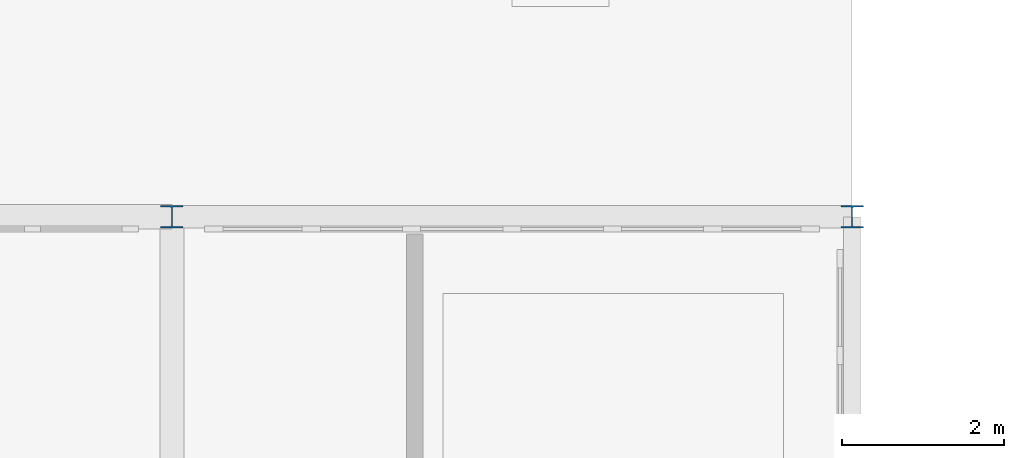
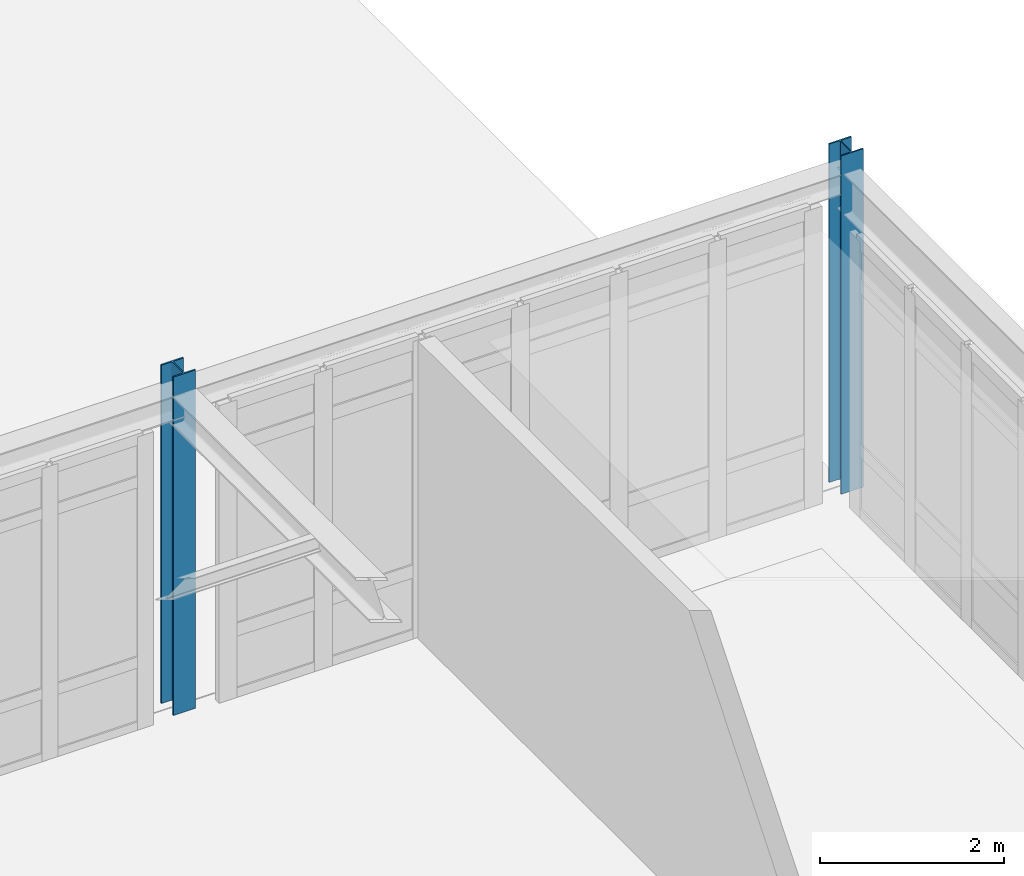
# One storey, part 21 of 101: 2 columns.
"""IFC4 building model written with IfcOpenShell, lengths in metres."""

from ifc_helpers import new_model, si_unit, derived_unit, direction, frame, origin, origin_2d, place, context, subcontext, project, spatial, i_section, extrude, material, material_profile, profile_set, type_object, element, save


model = new_model("IFC4")

# Units and contexts
model_context = context("Model", 3, precision=1e-05, world=origin(), true_north=direction((0.0, 1.0)))
body_context = subcontext(model_context, "Body", "Model", "MODEL_VIEW")
ifc_project = project(units=[si_unit("LENGTHUNIT", "METRE"), si_unit("AREAUNIT", "SQUARE_METRE"), si_unit("VOLUMEUNIT", "CUBIC_METRE"), si_unit("PLANEANGLEUNIT", "RADIAN"), si_unit("MASSUNIT", "GRAM", prefix="KILO"), derived_unit("THERMALTRANSMITTANCEUNIT", [(si_unit("POWERUNIT", "WATT"), 1), (si_unit("AREAUNIT", "SQUARE_METRE"), -1), (si_unit("THERMODYNAMICTEMPERATUREUNIT", "KELVIN"), -1)])], contexts=[model_context])

# Site, building, storey
site_placement = place(None, origin())
site = spatial("IfcSite", under=ifc_project, at=site_placement, CompositionType="ELEMENT")
building_placement = place(site_placement, origin())
building = spatial("IfcBuilding", under=site, at=building_placement, Name="Yasenodar Specialist Clinic", CompositionType="ELEMENT")
storey_placement = place(building_placement, origin())
storey = spatial("IfcBuildingStorey", under=building, at=storey_placement, Name="L00", CompositionType="ELEMENT", Elevation=0.0)

# Columns
ifc_material = material(Name="Steel S355", Category="steel")
ifc_material_profile = material_profile(ifc_material, i_section(OverallWidth=0.280029296875, OverallDepth=0.280029296875, WebThickness=0.010498046875, FlangeThickness=0.01806640625, FilletRadius=0.02392578125, at=origin_2d()), Name="HEB 280")
ifc_profile_set = profile_set([ifc_material_profile], Name="Steel S355")
column_type = type_object("IfcColumnType", Name="COL-ST-HEB280", PredefinedType="COLUMN", material=ifc_profile_set)
for number, where, z_axis, x_axis, name in (
    (1, (130.199951171875, 34.800048828125, 0.0), (0.0, 0.0, 1.0), (1.0, 0.0, 0.0), "L00 Column V3-150"),
    (2, (138.60009765625, 34.800048828125, 0.0), (0.0, 0.0, 1.0), (1.0, 0.0, 0.0), "L00 Column V3-160"),
):
    element("IfcColumn", number, at=place(storey_placement, frame(where, z_axis=z_axis, x_axis=x_axis)), inside=storey, type_object=column_type, Name=name, PredefinedType="COLUMN", context=body_context, shape_type="SweptSolid", body=[
        extrude(i_section(OverallWidth=0.280029296875, OverallDepth=0.280029296875, WebThickness=0.010498046875, FlangeThickness=0.01806640625, FilletRadius=0.02392578125, at=origin_2d()), origin(), (0.0, 0.0, 1.0), 4.5),
    ])

save(model, "model.ifc")
